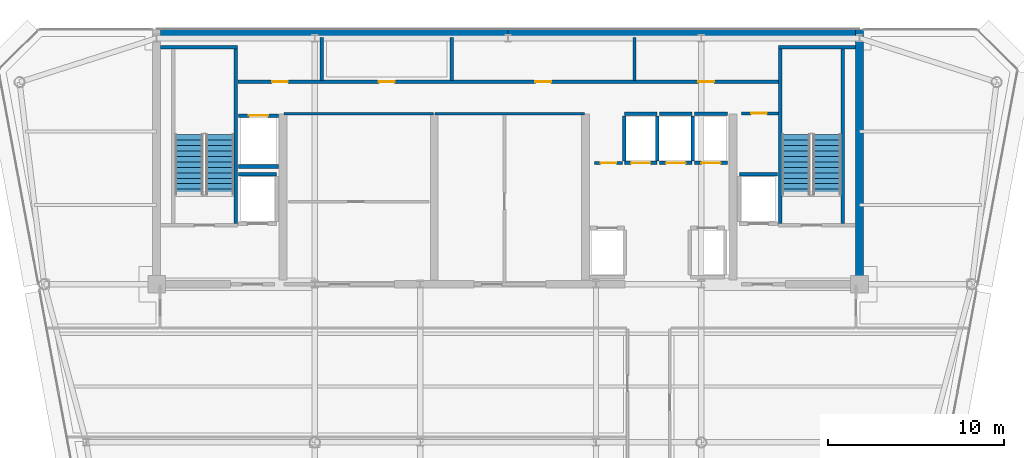
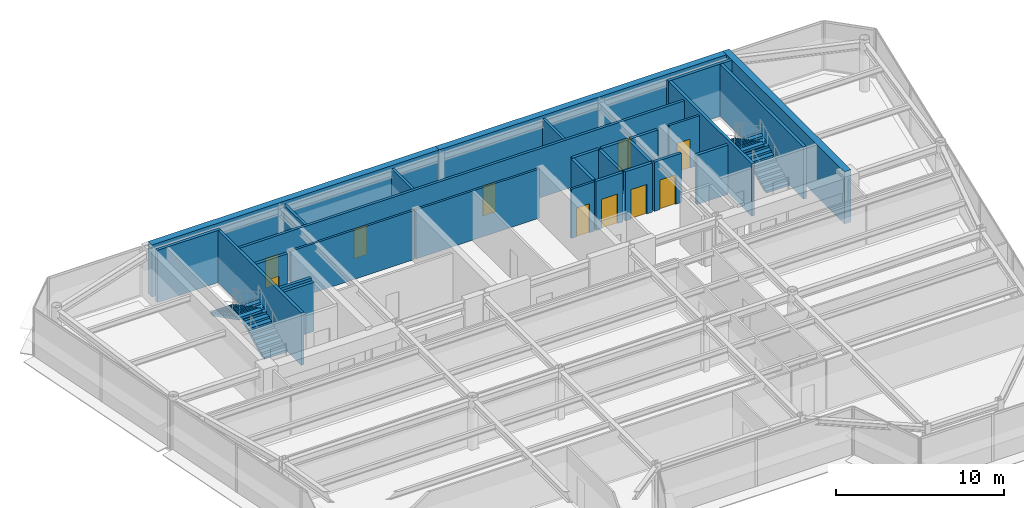
# One storey, part 11 of 18: 29 walls, 10 doors, 4 stair flights, 10 openings, 2 elements without a shape of their own.
"""IFC4 building model written with IfcOpenShell, lengths in metres."""

from ifc_helpers import new_model, si_unit, direction, frame, frame_2d, origin, place, context, subcontext, project, spatial, polyline, rectangle, outline, extrude, source, transform, mapped, material, layer, layer_set, type_object, element, fill, aggregate, save


model = new_model("IFC4")

# Units and contexts
model_context = context("Model", 3, precision=1e-05, world=origin(), true_north=direction((0.0, 1.0)))
body_context = subcontext(model_context, "Body", "Model", "MODEL_VIEW")
ifc_project = project(units=[si_unit("LENGTHUNIT", "METRE"), si_unit("AREAUNIT", "SQUARE_METRE"), si_unit("VOLUMEUNIT", "CUBIC_METRE"), si_unit("PLANEANGLEUNIT", "RADIAN"), si_unit("MASSUNIT", "GRAM", prefix="KILO")], contexts=[model_context])

# Site, building, storey
site_placement = place(None, origin())
site = spatial("IfcSite", under=ifc_project, at=site_placement, CompositionType="ELEMENT")
building_placement = place(site_placement, origin())
building = spatial("IfcBuilding", under=site, at=building_placement, Name="Vaeldorn Concourse Tower", CompositionType="ELEMENT")
storey_placement = place(building_placement, frame((0.0, 0.0, 253.60009765625)))
storey = spatial("IfcBuildingStorey", under=building, at=storey_placement, Name="L65", CompositionType="ELEMENT", Elevation=253.60009765625)

# Walls
ifc_material_1 = material(Name="Concrete C50/60", Category="concrete")
ifc_layer_1 = layer(ifc_material_1, 0.449951171875)
ifc_layer_set_1 = layer_set([ifc_layer_1], Name="Concrete C50/60")
wall_type_1 = type_object("IfcWallType", Name="WL-CORE-450", PredefinedType="SHEAR", material=ifc_layer_set_1)
for number, where, z_axis, x_axis, name in (
    (1, (14.22900390625, 50.77490234375, 0.0), (0.0, 0.0, 1.0), (1.0, 0.0, 0.0), "Rear Core Shear Wall L65 N1"),
    (2, (34.001953125, 50.77490234375, 0.0), (0.0, 0.0, 1.0), (1.0, 0.0, 0.0), "Rear Core Shear Wall L65 N2"),
):
    element("IfcWall", number, at=place(storey_placement, frame(where, z_axis=z_axis, x_axis=x_axis)), inside=storey, type_object=wall_type_1, Name=name, PredefinedType="SHEAR", context=body_context, shape_type="SweptSolid", body=[
        extrude(rectangle(XDim=19.76904296875, YDim=0.449951171875, at=frame_2d((9.884521484375, 0.0))), origin(), (0.0, 0.0, 1.0), 3.7998046875),
    ])
wall_1_placement = place(storey_placement, frame((54.0, 36.5, 0.0), z_axis=(0.0, 0.0, 1.0), x_axis=(0.0, 1.0, 0.0)))
element("IfcWall", 3, at=wall_1_placement, inside=storey, type_object=wall_type_1, Name="Rear Core Shear Wall L65 E1", PredefinedType="SHEAR", context=body_context, shape_type="SweptSolid", body=[
    extrude(rectangle(XDim=14.5, YDim=0.449951171875, at=frame_2d((7.25, 0.0))), origin(), (0.0, 0.0, 1.0), 3.7998046875),
])
ifc_material_2 = material(Name="Gypsum Board Partition", Category="gypsum")
ifc_layer_2 = layer(ifc_material_2, 0.14990234375)
ifc_layer_set_2 = layer_set([ifc_layer_2], Name="Gypsum Board Partition")
wall_type_2 = type_object("IfcWallType", Name="WL-PART-150", PredefinedType="PARTITIONING", material=ifc_layer_set_2)
for number, where, z_axis, x_axis, name in (
    (4, (21.25, 46.199951171875, 0.0), (0.0, 0.0, 1.0), (1.0, 0.0, 0.0), "Interior Wall CW-L65-R1N"),
    (5, (29.85009765625, 46.199951171875, 0.0), (0.0, 0.0, 1.0), (1.0, 0.0, 0.0), "Interior Wall CW-L65-R2N"),
):
    element("IfcWall", number, at=place(storey_placement, frame(where, z_axis=z_axis, x_axis=x_axis)), inside=storey, type_object=wall_type_2, Name=name, PredefinedType="PARTITIONING", context=body_context, shape_type="SweptSolid", body=[
        extrude(rectangle(XDim=8.5, YDim=0.14990234375, at=frame_2d((4.25, 0.0))), origin(), (0.0, 0.0, 1.0), 3.579833984375),
    ])

# Wall, opening, door
wall_2_placement = place(storey_placement, frame((47.280029296875, 46.219970703125, 0.0), z_axis=(0.0, 0.0, 1.0), x_axis=(1.0, 0.0, 0.0)))
wall_2 = element("IfcWall", 6, at=wall_2_placement, inside=storey, type_object=wall_type_2, Name="Interior Wall CW-L65-CRSE-N", PredefinedType="PARTITIONING", context=body_context, shape_type="SweptSolid", body=[
    extrude(rectangle(XDim=2.099853515625, YDim=0.14990234375, at=frame_2d((1.0498046875, 0.0))), origin(), (0.0, 0.0, 1.0), 3.579833984375),
])
opening_1_placement = place(wall_2_placement, frame((0.550048828125, 0.0, 0.0)))
opening_1 = element("IfcOpeningElement", 7, at=opening_1_placement, cuts=wall_2, Name="Opening D-02", PredefinedType="OPENING", context=body_context, shape_type="SweptSolid", body=[
    extrude(rectangle(XDim=0.89990234375, YDim=2.10009765625, at=frame_2d((0.449951171875, 1.050048828125))), frame((0.0, 0.0849609375, 0.0), z_axis=(0.0, -1.0, 0.0), x_axis=(1.0, 0.0, 0.0)), (0.0, 0.0, 1.0), 0.169921875),
])
ifc_material_3 = material(Name="Fire-Rated Timber Leaf", Category="wood")
door_type_1 = type_object("IfcDoorType", Name="DR-FD30-900", OperationType="NOTDEFINED", PredefinedType="DOOR", material=ifc_material_3)
shared_shape_1 = source(origin(), body_context, "Body", "SweptSolid", [
    extrude(rectangle(XDim=0.89990234375, YDim=2.10009765625, at=frame_2d((0.449951171875, 1.050048828125))), frame((0.0, 0.02490234375, 0.0), z_axis=(0.0, -1.0, 0.0), x_axis=(1.0, 0.0, 0.0)), (0.0, 0.0, 1.0), 0.050048828125),
])
door_1_placement = place(opening_1_placement, origin())
door_1 = element("IfcDoor", 8, at=door_1_placement, inside=storey, type_object=door_type_1, Name="Interior Door DR-L65-CRSE", OperationType="SINGLE_SWING_RIGHT", OverallHeight=2.10009765625, OverallWidth=0.89990234375, PredefinedType="DOOR", context=body_context, shape_type="MappedRepresentation", body=[
    mapped(shared_shape_1, transform((0.0, 0.0, 0.0), scale=1.0)),
])
fill(opening_1, door_1)

wall_3_placement = place(storey_placement, frame((38.919921875, 43.39990234375, 0.0), z_axis=(0.0, 0.0, 1.0), x_axis=(1.0, 0.0, 0.0)))
wall_3 = element("IfcWall", 9, at=wall_3_placement, inside=storey, type_object=wall_type_2, Name="Interior Wall CW-L65-CCLINK", PredefinedType="PARTITIONING", context=body_context, shape_type="SweptSolid", body=[
    extrude(rectangle(XDim=1.60009765625, YDim=0.14990234375, at=frame_2d((0.800048828125, 0.0))), origin(), (0.0, 0.0, 1.0), 3.579833984375),
])
opening_2_placement = place(wall_3_placement, frame((0.35009765625, 0.0, 0.0)))
opening_2 = element("IfcOpeningElement", 10, at=opening_2_placement, cuts=wall_3, Name="Opening D-02", PredefinedType="OPENING", context=body_context, shape_type="SweptSolid", body=[
    extrude(rectangle(XDim=0.89990234375, YDim=2.10009765625, at=frame_2d((0.449951171875, 1.050048828125))), frame((0.0, 0.0849609375, 0.0), z_axis=(0.0, -1.0, 0.0), x_axis=(1.0, 0.0, 0.0)), (0.0, 0.0, 1.0), 0.169921875),
])
door_2_placement = place(opening_2_placement, origin())
door_2 = element("IfcDoor", 11, at=door_2_placement, inside=storey, type_object=door_type_1, Name="Interior Door DR-L65-CCLINK", OperationType="SINGLE_SWING_LEFT", OverallHeight=2.10009765625, OverallWidth=0.89990234375, PredefinedType="DOOR", context=body_context, shape_type="MappedRepresentation", body=[
    mapped(shared_shape_1, transform((0.0, 0.0, 0.0), scale=1.0)),
])
fill(opening_2, door_2)

# Wall, openings, doors
ifc_layer_3 = layer(ifc_material_2, 0.179931640625)
ifc_layer_set_3 = layer_set([ifc_layer_3], Name="Gypsum Board Partition")
wall_type_3 = type_object("IfcWallType", Name="WL-PLUMB-180", PredefinedType="PLUMBINGWALL", material=ifc_layer_set_3)
wall_4_placement = place(storey_placement, frame((18.6201171875, 48.02001953125, 0.0), z_axis=(0.0, 0.0, 1.0), x_axis=(1.0, 0.0, 0.0)))
wall_4 = element("IfcWall", 12, at=wall_4_placement, inside=storey, type_object=wall_type_3, Name="Interior Wall CW-L65-NS0", PredefinedType="PLUMBINGWALL", context=body_context, shape_type="SweptSolid", body=[
    extrude(rectangle(XDim=30.759765625, YDim=0.179931640625, at=frame_2d((15.3798828125, 0.0))), origin(), (0.0, 0.0, 1.0), 3.579833984375),
])
opening_3_placement = place(wall_4_placement, frame((1.955078125, 0.0, 0.0)))
opening_3 = element("IfcOpeningElement", 13, at=opening_3_placement, cuts=wall_4, Name="Opening D-03", PredefinedType="OPENING", context=body_context, shape_type="SweptSolid", body=[
    extrude(rectangle(XDim=0.89990234375, YDim=2.14990234375, at=frame_2d((0.449951171875, 1.074951171875))), frame((0.0, 0.10009765625, 0.0), z_axis=(0.0, -1.0, 0.0), x_axis=(1.0, 0.0, 0.0)), (0.0, 0.0, 1.0), 0.199951171875),
])
opening_4_placement = place(wall_4_placement, frame((8.030029296875, 0.0, 0.0)))
opening_4 = element("IfcOpeningElement", 14, at=opening_4_placement, cuts=wall_4, Name="Opening D-03", PredefinedType="OPENING", context=body_context, shape_type="SweptSolid", body=[
    extrude(rectangle(XDim=0.89990234375, YDim=2.14990234375, at=frame_2d((0.449951171875, 1.074951171875))), frame((0.0, 0.10009765625, 0.0), z_axis=(0.0, -1.0, 0.0), x_axis=(1.0, 0.0, 0.0)), (0.0, 0.0, 1.0), 0.199951171875),
])
opening_5_placement = place(wall_4_placement, frame((16.929931640625, 0.0, 0.0)))
opening_5 = element("IfcOpeningElement", 15, at=opening_5_placement, cuts=wall_4, Name="Opening D-03", PredefinedType="OPENING", context=body_context, shape_type="SweptSolid", body=[
    extrude(rectangle(XDim=0.89990234375, YDim=2.14990234375, at=frame_2d((0.449951171875, 1.074951171875))), frame((0.0, 0.10009765625, 0.0), z_axis=(0.0, -1.0, 0.0), x_axis=(1.0, 0.0, 0.0)), (0.0, 0.0, 1.0), 0.199951171875),
])
opening_6_placement = place(wall_4_placement, frame((26.205078125, 0.0, 0.0)))
opening_6 = element("IfcOpeningElement", 16, at=opening_6_placement, cuts=wall_4, Name="Opening D-03", PredefinedType="OPENING", context=body_context, shape_type="SweptSolid", body=[
    extrude(rectangle(XDim=0.89990234375, YDim=2.14990234375, at=frame_2d((0.449951171875, 1.074951171875))), frame((0.0, 0.10009765625, 0.0), z_axis=(0.0, -1.0, 0.0), x_axis=(1.0, 0.0, 0.0)), (0.0, 0.0, 1.0), 0.199951171875),
])
ifc_material_4 = material(Name="Acoustic Bronze-Framed Glass Door", Category="glass")
door_type_2 = type_object("IfcDoorType", Name="DR-INT-900", OperationType="NOTDEFINED", PredefinedType="DOOR", material=ifc_material_4)
shared_shape_2 = source(origin(), body_context, "Body", "SweptSolid", [
    extrude(rectangle(XDim=0.89990234375, YDim=2.14990234375, at=frame_2d((0.449951171875, 1.074951171875))), frame((0.0, 0.02490234375, 0.0), z_axis=(0.0, -1.0, 0.0), x_axis=(1.0, 0.0, 0.0)), (0.0, 0.0, 1.0), 0.050048828125),
])
door_3_placement = place(opening_3_placement, origin())
door_3 = element("IfcDoor", 17, at=door_3_placement, inside=storey, type_object=door_type_2, Name="Interior Door DR-L65-CS1", OperationType="SINGLE_SWING_LEFT", OverallHeight=2.14990234375, OverallWidth=0.89990234375, PredefinedType="DOOR", context=body_context, shape_type="MappedRepresentation", body=[
    mapped(shared_shape_2, transform((0.0, 0.0, 0.0), scale=1.0)),
])
fill(opening_3, door_3)
door_4_placement = place(opening_4_placement, origin())
door_4 = element("IfcDoor", 18, at=door_4_placement, inside=storey, type_object=door_type_2, Name="Interior Door DR-L65-CS2", OperationType="SINGLE_SWING_RIGHT", OverallHeight=2.14990234375, OverallWidth=0.89990234375, PredefinedType="DOOR", context=body_context, shape_type="MappedRepresentation", body=[
    mapped(shared_shape_2, transform((0.0, 0.0, 0.0), scale=1.0)),
])
fill(opening_4, door_4)
door_5_placement = place(opening_5_placement, origin())
door_5 = element("IfcDoor", 19, at=door_5_placement, inside=storey, type_object=door_type_2, Name="Interior Door DR-L65-CS3", OperationType="SINGLE_SWING_LEFT", OverallHeight=2.14990234375, OverallWidth=0.89990234375, PredefinedType="DOOR", context=body_context, shape_type="MappedRepresentation", body=[
    mapped(shared_shape_2, transform((0.0, 0.0, 0.0), scale=1.0)),
])
fill(opening_5, door_5)
door_6_placement = place(opening_6_placement, origin())
door_6 = element("IfcDoor", 20, at=door_6_placement, inside=storey, type_object=door_type_2, Name="Interior Door DR-L65-CS4", OperationType="SINGLE_SWING_RIGHT", OverallHeight=2.14990234375, OverallWidth=0.89990234375, PredefinedType="DOOR", context=body_context, shape_type="MappedRepresentation", body=[
    mapped(shared_shape_2, transform((0.0, 0.0, 0.0), scale=1.0)),
])
fill(opening_6, door_6)

# Walls
for number, where, z_axis, x_axis, name in (
    (21, (23.39990234375, 48.10009765625, 0.0), (0.0, 0.0, 1.0), (0.0, 1.0, 0.0), "Interior Wall CW-L65-NDIV1"),
    (22, (30.800048828125, 48.10009765625, 0.0), (0.0, 0.0, 1.0), (0.0, 1.0, 0.0), "Interior Wall CW-L65-NDIV2"),
    (23, (41.199951171875, 48.10009765625, 0.0), (0.0, 0.0, 1.0), (0.0, 1.0, 0.0), "Interior Wall CW-L65-NDIV3"),
):
    element("IfcWall", number, at=place(storey_placement, frame(where, z_axis=z_axis, x_axis=x_axis)), inside=storey, type_object=wall_type_3, Name=name, PredefinedType="PLUMBINGWALL", context=body_context, shape_type="SweptSolid", body=[
        extrude(rectangle(XDim=2.429931640625, YDim=0.179931640625, at=frame_2d((1.21484375, 0.0))), origin(), (0.0, 0.0, 1.0), 3.579833984375),
    ])
ifc_layer_4 = layer(ifc_material_1, 0.199951171875)
ifc_layer_set_4 = layer_set([ifc_layer_4], Name="Concrete C50/60")
wall_type_4 = type_object("IfcWallType", Name="WL-SHAFT-200", PredefinedType="SOLIDWALL", material=ifc_layer_set_4)
wall_5_placement = place(storey_placement, frame((14.22509765625, 50.0, 0.0), z_axis=(0.0, 0.0, 1.0), x_axis=(1.0, 0.0, 0.0)))
element("IfcWall", 24, at=wall_5_placement, inside=storey, type_object=wall_type_4, Name="Stair Shaft Wall CW-L65-ST-1-N", PredefinedType="SOLIDWALL", context=body_context, shape_type="SweptSolid", body=[
    extrude(rectangle(XDim=4.375, YDim=0.199951171875, at=frame_2d((2.1875, 0.0))), origin(), (0.0, 0.0, 1.0), 3.7998046875),
])
wall_6_placement = place(storey_placement, frame((18.5, 39.9599609375, 0.0), z_axis=(0.0, 0.0, 1.0), x_axis=(0.0, 1.0, 0.0)))
element("IfcWall", 25, at=wall_6_placement, inside=storey, type_object=wall_type_4, Name="Stair Shaft Wall CW-L65-ST-1-E", PredefinedType="SOLIDWALL", context=body_context, shape_type="SweptSolid", body=[
    extrude(rectangle(XDim=9.929931640625, YDim=0.199951171875, at=frame_2d((4.96484375, 0.0))), origin(), (0.0, 0.0, 1.0), 3.7998046875),
])
wall_7_placement = place(storey_placement, frame((49.39990234375, 50.0, 0.0), z_axis=(0.0, 0.0, 1.0), x_axis=(1.0, 0.0, 0.0)))
element("IfcWall", 26, at=wall_7_placement, inside=storey, type_object=wall_type_4, Name="Stair Shaft Wall CW-L65-ST-2-N", PredefinedType="SOLIDWALL", context=body_context, shape_type="SweptSolid", body=[
    extrude(rectangle(XDim=4.375, YDim=0.199951171875, at=frame_2d((2.1875, 0.0))), origin(), (0.0, 0.0, 1.0), 3.7998046875),
])
for number, where, z_axis, x_axis, name in (
    (27, (49.5, 39.9599609375, 0.0), (0.0, 0.0, 1.0), (0.0, 1.0, 0.0), "Stair Shaft Wall CW-L65-ST-2-W"),
    (28, (53.050048828125, 39.9599609375, 0.0), (0.0, 0.0, 1.0), (0.0, 1.0, 0.0), "Stair Shaft Wall CW-L65-ST-2-E"),
):
    element("IfcWall", number, at=place(storey_placement, frame(where, z_axis=z_axis, x_axis=x_axis)), inside=storey, type_object=wall_type_4, Name=name, PredefinedType="SOLIDWALL", context=body_context, shape_type="SweptSolid", body=[
        extrude(rectangle(XDim=9.929931640625, YDim=0.199951171875, at=frame_2d((4.96484375, 0.0))), origin(), (0.0, 0.0, 1.0), 3.7998046875),
    ])

# Wall, opening, door
wall_8_placement = place(storey_placement, frame((40.6201171875, 43.39990234375, 0.0), z_axis=(0.0, 0.0, 1.0), x_axis=(1.0, 0.0, 0.0)))
wall_8 = element("IfcWall", 29, at=wall_8_placement, inside=storey, type_object=wall_type_4, Name="Interior Wall CW-L65-LF-LF-15", PredefinedType="SOLIDWALL", context=body_context, shape_type="SweptSolid", body=[
    extrude(rectangle(XDim=1.85986328125, YDim=0.199951171875, at=frame_2d((0.929931640625, 0.0))), origin(), (0.0, 0.0, 1.0), 3.579833984375),
])
opening_7_placement = place(wall_8_placement, frame((0.3798828125, 0.0, 0.0)))
opening_7 = element("IfcOpeningElement", 30, at=opening_7_placement, cuts=wall_8, Name="Opening LD-1", PredefinedType="OPENING", context=body_context, shape_type="SweptSolid", body=[
    extrude(rectangle(XDim=1.10009765625, YDim=2.14990234375, at=frame_2d((0.550048828125, 1.074951171875))), frame((0.0, 0.10986328125, 0.0), z_axis=(0.0, -1.0, 0.0), x_axis=(1.0, 0.0, 0.0)), (0.0, 0.0, 1.0), 0.219970703125),
])
ifc_material_5 = material(Name="Anodised Bronze Aluminium", Category="aluminium")
door_type_3 = type_object("IfcDoorType", Name="DR-LIFT-SLIDE-1100", OperationType="DOUBLE_DOOR_SLIDING", PredefinedType="DOOR", material=ifc_material_5)
shared_shape_3 = source(origin(), body_context, "Body", "SweptSolid", [
    extrude(rectangle(XDim=1.10009765625, YDim=2.14990234375, at=frame_2d((0.550048828125, 1.074951171875))), frame((0.0, 0.02490234375, 0.0), z_axis=(0.0, -1.0, 0.0), x_axis=(1.0, 0.0, 0.0)), (0.0, 0.0, 1.0), 0.050048828125),
])
door_7_placement = place(opening_7_placement, origin())
door_7 = element("IfcDoor", 31, at=door_7_placement, inside=storey, type_object=door_type_3, Name="Lift Landing Door LD-L65-LF-15", OperationType="DOUBLE_DOOR_SLIDING", OverallHeight=2.14990234375, OverallWidth=1.10009765625, PredefinedType="DOOR", context=body_context, shape_type="MappedRepresentation", body=[
    mapped(shared_shape_3, transform((0.0, 0.0, 0.0), scale=1.0)),
])
fill(opening_7, door_7)

# Walls
wall_9_placement = place(storey_placement, frame((40.6201171875, 46.199951171875, 0.0), z_axis=(0.0, 0.0, 1.0), x_axis=(1.0, 0.0, 0.0)))
element("IfcWall", 32, at=wall_9_placement, inside=storey, type_object=wall_type_4, Name="Interior Wall CW-L65-LFB-LF-15", PredefinedType="SOLIDWALL", context=body_context, shape_type="SweptSolid", body=[
    extrude(rectangle(XDim=1.85986328125, YDim=0.199951171875, at=frame_2d((0.929931640625, 0.0))), origin(), (0.0, 0.0, 1.0), 3.579833984375),
])
for number, where, z_axis, x_axis, name in (
    (33, (40.60009765625, 43.52001953125, 0.0), (0.0, 0.0, 1.0), (0.0, 1.0, 0.0), "Interior Wall CW-L65-LFW-LF-15"),
    (34, (42.5, 43.52001953125, 0.0), (0.0, 0.0, 1.0), (0.0, 1.0, 0.0), "Interior Wall CW-L65-LFE-LF-15"),
):
    element("IfcWall", number, at=place(storey_placement, frame(where, z_axis=z_axis, x_axis=x_axis)), inside=storey, type_object=wall_type_4, Name=name, PredefinedType="SOLIDWALL", context=body_context, shape_type="SweptSolid", body=[
        extrude(rectangle(XDim=2.56005859375, YDim=0.199951171875, at=frame_2d((1.280029296875, 0.0))), origin(), (0.0, 0.0, 1.0), 3.579833984375),
    ])

# Wall, opening, door
wall_10_placement = place(storey_placement, frame((42.6201171875, 43.39990234375, 0.0), z_axis=(0.0, 0.0, 1.0), x_axis=(1.0, 0.0, 0.0)))
wall_10 = element("IfcWall", 35, at=wall_10_placement, inside=storey, type_object=wall_type_4, Name="Interior Wall CW-L65-LF-LF-16", PredefinedType="SOLIDWALL", context=body_context, shape_type="SweptSolid", body=[
    extrude(rectangle(XDim=1.85986328125, YDim=0.199951171875, at=frame_2d((0.929931640625, 0.0))), origin(), (0.0, 0.0, 1.0), 3.579833984375),
])
opening_8_placement = place(wall_10_placement, frame((0.3798828125, 0.0, 0.0)))
opening_8 = element("IfcOpeningElement", 36, at=opening_8_placement, cuts=wall_10, Name="Opening LD-1", PredefinedType="OPENING", context=body_context, shape_type="SweptSolid", body=[
    extrude(rectangle(XDim=1.10009765625, YDim=2.14990234375, at=frame_2d((0.550048828125, 1.074951171875))), frame((0.0, 0.10986328125, 0.0), z_axis=(0.0, -1.0, 0.0), x_axis=(1.0, 0.0, 0.0)), (0.0, 0.0, 1.0), 0.219970703125),
])
door_8_placement = place(opening_8_placement, origin())
door_8 = element("IfcDoor", 37, at=door_8_placement, inside=storey, type_object=door_type_3, Name="Lift Landing Door LD-L65-LF-16", OperationType="DOUBLE_DOOR_SLIDING", OverallHeight=2.14990234375, OverallWidth=1.10009765625, PredefinedType="DOOR", context=body_context, shape_type="MappedRepresentation", body=[
    mapped(shared_shape_3, transform((0.0, 0.0, 0.0), scale=1.0)),
])
fill(opening_8, door_8)

# Walls
wall_11_placement = place(storey_placement, frame((42.6201171875, 46.199951171875, 0.0), z_axis=(0.0, 0.0, 1.0), x_axis=(1.0, 0.0, 0.0)))
element("IfcWall", 38, at=wall_11_placement, inside=storey, type_object=wall_type_4, Name="Interior Wall CW-L65-LFB-LF-16", PredefinedType="SOLIDWALL", context=body_context, shape_type="SweptSolid", body=[
    extrude(rectangle(XDim=1.85986328125, YDim=0.199951171875, at=frame_2d((0.929931640625, 0.0))), origin(), (0.0, 0.0, 1.0), 3.579833984375),
])
wall_12_placement = place(storey_placement, frame((44.5, 43.52001953125, 0.0), z_axis=(0.0, 0.0, 1.0), x_axis=(0.0, 1.0, 0.0)))
element("IfcWall", 39, at=wall_12_placement, inside=storey, type_object=wall_type_4, Name="Interior Wall CW-L65-LFE-LF-16", PredefinedType="SOLIDWALL", context=body_context, shape_type="SweptSolid", body=[
    extrude(rectangle(XDim=2.56005859375, YDim=0.199951171875, at=frame_2d((1.280029296875, 0.0))), origin(), (0.0, 0.0, 1.0), 3.579833984375),
])

# Wall, opening, door
wall_13_placement = place(storey_placement, frame((44.6201171875, 43.39990234375, 0.0), z_axis=(0.0, 0.0, 1.0), x_axis=(1.0, 0.0, 0.0)))
wall_13 = element("IfcWall", 40, at=wall_13_placement, inside=storey, type_object=wall_type_4, Name="Interior Wall CW-L65-LF-LF-17", PredefinedType="SOLIDWALL", context=body_context, shape_type="SweptSolid", body=[
    extrude(rectangle(XDim=1.85986328125, YDim=0.199951171875, at=frame_2d((0.929931640625, 0.0))), origin(), (0.0, 0.0, 1.0), 3.579833984375),
])
opening_9_placement = place(wall_13_placement, frame((0.3798828125, 0.0, 0.0)))
opening_9 = element("IfcOpeningElement", 41, at=opening_9_placement, cuts=wall_13, Name="Opening LD-1", PredefinedType="OPENING", context=body_context, shape_type="SweptSolid", body=[
    extrude(rectangle(XDim=1.10009765625, YDim=2.14990234375, at=frame_2d((0.550048828125, 1.074951171875))), frame((0.0, 0.10986328125, 0.0), z_axis=(0.0, -1.0, 0.0), x_axis=(1.0, 0.0, 0.0)), (0.0, 0.0, 1.0), 0.219970703125),
])
door_9_placement = place(opening_9_placement, origin())
door_9 = element("IfcDoor", 42, at=door_9_placement, inside=storey, type_object=door_type_3, Name="Lift Landing Door LD-L65-LF-17", OperationType="DOUBLE_DOOR_SLIDING", OverallHeight=2.14990234375, OverallWidth=1.10009765625, PredefinedType="DOOR", context=body_context, shape_type="MappedRepresentation", body=[
    mapped(shared_shape_3, transform((0.0, 0.0, 0.0), scale=1.0)),
])
fill(opening_9, door_9)

# Wall
wall_14_placement = place(storey_placement, frame((44.6201171875, 46.199951171875, 0.0), z_axis=(0.0, 0.0, 1.0), x_axis=(1.0, 0.0, 0.0)))
element("IfcWall", 43, at=wall_14_placement, inside=storey, type_object=wall_type_4, Name="Interior Wall CW-L65-LFB-LF-17", PredefinedType="SOLIDWALL", context=body_context, shape_type="SweptSolid", body=[
    extrude(rectangle(XDim=1.85986328125, YDim=0.199951171875, at=frame_2d((0.929931640625, 0.0))), origin(), (0.0, 0.0, 1.0), 3.579833984375),
])

# Wall, opening, door
wall_15_placement = place(storey_placement, frame((18.669921875, 46.10009765625, 0.0), z_axis=(0.0, 0.0, 1.0), x_axis=(1.0, 0.0, 0.0)))
wall_15 = element("IfcWall", 44, at=wall_15_placement, inside=storey, type_object=wall_type_4, Name="Interior Wall CW-L65-LF-LF-SV1", PredefinedType="SOLIDWALL", context=body_context, shape_type="SweptSolid", body=[
    extrude(rectangle(XDim=2.260009765625, YDim=0.199951171875, at=frame_2d((1.1298828125, 0.0))), origin(), (0.0, 0.0, 1.0), 3.579833984375),
])
opening_10_placement = place(wall_15_placement, frame((0.580078125, 0.0, 0.0)))
opening_10 = element("IfcOpeningElement", 45, at=opening_10_placement, cuts=wall_15, Name="Opening LD-1", PredefinedType="OPENING", context=body_context, shape_type="SweptSolid", body=[
    extrude(rectangle(XDim=1.10009765625, YDim=2.14990234375, at=frame_2d((0.550048828125, 1.074951171875))), frame((0.0, 0.10986328125, 0.0), z_axis=(0.0, -1.0, 0.0), x_axis=(1.0, 0.0, 0.0)), (0.0, 0.0, 1.0), 0.219970703125),
])
door_10_placement = place(opening_10_placement, origin())
door_10 = element("IfcDoor", 46, at=door_10_placement, inside=storey, type_object=door_type_3, Name="Lift Landing Door LD-L65-LF-SV1", OperationType="DOUBLE_DOOR_SLIDING", OverallHeight=2.14990234375, OverallWidth=1.10009765625, PredefinedType="DOOR", context=body_context, shape_type="MappedRepresentation", body=[
    mapped(shared_shape_3, transform((0.0, 0.0, 0.0), scale=1.0)),
])
fill(opening_10, door_10)

# Walls
wall_16_placement = place(storey_placement, frame((18.669921875, 43.199951171875, 0.0), z_axis=(0.0, 0.0, 1.0), x_axis=(1.0, 0.0, 0.0)))
element("IfcWall", 47, at=wall_16_placement, inside=storey, type_object=wall_type_4, Name="Interior Wall CW-L65-LFB-LF-SV1", PredefinedType="SOLIDWALL", context=body_context, shape_type="SweptSolid", body=[
    extrude(rectangle(XDim=2.260009765625, YDim=0.199951171875, at=frame_2d((1.1298828125, 0.0))), origin(), (0.0, 0.0, 1.0), 3.579833984375),
])
for number, where, z_axis, x_axis, name in (
    (48, (18.669921875, 42.75, 0.0), (0.0, 0.0, 1.0), (1.0, 0.0, 0.0), "Interior Wall CW-L65-LFB-LF-FF1"),
    (49, (47.169921875, 42.75, 0.0), (0.0, 0.0, 1.0), (1.0, 0.0, 0.0), "Interior Wall CW-L65-LFB-LF-FF2"),
):
    element("IfcWall", number, at=place(storey_placement, frame(where, z_axis=z_axis, x_axis=x_axis)), inside=storey, type_object=wall_type_4, Name=name, PredefinedType="SOLIDWALL", context=body_context, shape_type="SweptSolid", body=[
        extrude(rectangle(XDim=2.16015625, YDim=0.199951171875, at=frame_2d((1.080078125, 0.0))), origin(), (0.0, 0.0, 1.0), 3.579833984375),
    ])

# Stair, stair flights
ifc_material_6 = material(Name="Precast concrete C40/50", Category="concrete")
stair_type = type_object("IfcStairType", Name="STR-DOG-24x158", PredefinedType="HALF_TURN_STAIR", material=ifc_material_6)
stair_1_placement = place(storey_placement, origin())
stair_1 = element("IfcStair", 50, at=stair_1_placement, inside=storey, type_object=stair_type, Name="L65 West Core Exit Stair ST-1", PredefinedType="HALF_TURN_STAIR")
stair_flight_type = type_object("IfcStairFlightType", Name="STF-STR-12x158", PredefinedType="STRAIGHT", material=ifc_material_6)
stair_flight_1_placement = place(storey_placement, frame((17.60009765625, 41.60009765625, 0.0), z_axis=(0.0, 0.0, 1.0), x_axis=(0.0, 1.0, 0.0)))
stair_flight_1 = element("IfcStairFlight", 51, at=stair_flight_1_placement, type_object=stair_flight_type, Name="ST-1 flight 1", NumberOfRisers=12, NumberOfTreads=11, PredefinedType="STRAIGHT", RiserHeight=0.158333333, TreadLength=0.31, context=body_context, shape_type="SweptSolid", body=[
    extrude(outline(polyline([(0.0, 0.0), (0.0, 0.158447265625), (0.31005859375, 0.158447265625), (0.31005859375, 0.316650390625), (0.6201171875, 0.316650390625), (0.6201171875, 0.47509765625), (0.929931640625, 0.47509765625), (0.929931640625, 0.63330078125), (1.239990234375, 0.63330078125), (1.239990234375, 0.791748046875), (1.550048828125, 0.791748046875), (1.550048828125, 0.949951171875), (1.860107421875, 0.949951171875), (1.860107421875, 1.1083984375), (2.169921875, 1.1083984375), (2.169921875, 1.2666015625), (2.47998046875, 1.2666015625), (2.47998046875, 1.425048828125), (2.7900390625, 1.425048828125), (2.7900390625, 1.583251953125), (3.10009765625, 1.583251953125), (3.10009765625, 1.74169921875), (3.409912109375, 1.74169921875), (3.409912109375, 1.89990234375), (3.409912109375, 1.5732421875), (0.32958984375, 0.0), (0.0, 0.0)])), frame((0.0, 0.800048828125, 0.0), z_axis=(0.0, -1.0, 0.0), x_axis=(1.0, 0.0, 0.0)), (0.0, 0.0, 1.0), 1.60009765625),
])
stair_flight_2_placement = place(storey_placement, frame((15.85009765625, 45.010009765625, 1.89990234375), z_axis=(0.0, 0.0, 1.0), x_axis=(0.0, -1.0, 0.0)))
stair_flight_2 = element("IfcStairFlight", 52, at=stair_flight_2_placement, type_object=stair_flight_type, Name="ST-1 flight 2", NumberOfRisers=12, NumberOfTreads=11, PredefinedType="STRAIGHT", RiserHeight=0.158333333, TreadLength=0.31, context=body_context, shape_type="SweptSolid", body=[
    extrude(outline(polyline([(0.0, 0.0), (0.0, 0.158447265625), (0.31005859375, 0.158447265625), (0.31005859375, 0.316650390625), (0.6201171875, 0.316650390625), (0.6201171875, 0.47509765625), (0.929931640625, 0.47509765625), (0.929931640625, 0.63330078125), (1.239990234375, 0.63330078125), (1.239990234375, 0.791748046875), (1.550048828125, 0.791748046875), (1.550048828125, 0.949951171875), (1.860107421875, 0.949951171875), (1.860107421875, 1.1083984375), (2.169921875, 1.1083984375), (2.169921875, 1.2666015625), (2.47998046875, 1.2666015625), (2.47998046875, 1.425048828125), (2.7900390625, 1.425048828125), (2.7900390625, 1.583251953125), (3.10009765625, 1.583251953125), (3.10009765625, 1.74169921875), (3.409912109375, 1.74169921875), (3.409912109375, 1.89990234375), (3.409912109375, 1.5732421875), (0.32958984375, 0.0), (0.0, 0.0)])), frame((0.0, 0.800048828125, 0.0), z_axis=(0.0, -1.0, 0.0), x_axis=(1.0, 0.0, 0.0)), (0.0, 0.0, 1.0), 1.60009765625),
])
aggregate(stair_1, [stair_flight_1, stair_flight_2])

stair_2_placement = place(storey_placement, origin())
stair_2 = element("IfcStair", 53, at=stair_2_placement, inside=storey, type_object=stair_type, Name="L65 East Core Exit Stair ST-2", PredefinedType="HALF_TURN_STAIR")
stair_flight_3_placement = place(storey_placement, frame((52.14990234375, 41.60009765625, 0.0), z_axis=(0.0, 0.0, 1.0), x_axis=(0.0, 1.0, 0.0)))
stair_flight_3 = element("IfcStairFlight", 54, at=stair_flight_3_placement, type_object=stair_flight_type, Name="ST-2 flight 1", NumberOfRisers=12, NumberOfTreads=11, PredefinedType="STRAIGHT", RiserHeight=0.158333333, TreadLength=0.31, context=body_context, shape_type="SweptSolid", body=[
    extrude(outline(polyline([(0.0, 0.0), (0.0, 0.158447265625), (0.31005859375, 0.158447265625), (0.31005859375, 0.316650390625), (0.6201171875, 0.316650390625), (0.6201171875, 0.47509765625), (0.929931640625, 0.47509765625), (0.929931640625, 0.63330078125), (1.239990234375, 0.63330078125), (1.239990234375, 0.791748046875), (1.550048828125, 0.791748046875), (1.550048828125, 0.949951171875), (1.860107421875, 0.949951171875), (1.860107421875, 1.1083984375), (2.169921875, 1.1083984375), (2.169921875, 1.2666015625), (2.47998046875, 1.2666015625), (2.47998046875, 1.425048828125), (2.7900390625, 1.425048828125), (2.7900390625, 1.583251953125), (3.10009765625, 1.583251953125), (3.10009765625, 1.74169921875), (3.409912109375, 1.74169921875), (3.409912109375, 1.89990234375), (3.409912109375, 1.5732421875), (0.32958984375, 0.0), (0.0, 0.0)])), frame((0.0, 0.800048828125, 0.0), z_axis=(0.0, -1.0, 0.0), x_axis=(1.0, 0.0, 0.0)), (0.0, 0.0, 1.0), 1.60009765625),
])
stair_flight_4_placement = place(storey_placement, frame((50.39990234375, 45.010009765625, 1.89990234375), z_axis=(0.0, 0.0, 1.0), x_axis=(0.0, -1.0, 0.0)))
stair_flight_4 = element("IfcStairFlight", 55, at=stair_flight_4_placement, type_object=stair_flight_type, Name="ST-2 flight 2", NumberOfRisers=12, NumberOfTreads=11, PredefinedType="STRAIGHT", RiserHeight=0.158333333, TreadLength=0.31, context=body_context, shape_type="SweptSolid", body=[
    extrude(outline(polyline([(0.0, 0.0), (0.0, 0.158447265625), (0.31005859375, 0.158447265625), (0.31005859375, 0.316650390625), (0.6201171875, 0.316650390625), (0.6201171875, 0.47509765625), (0.929931640625, 0.47509765625), (0.929931640625, 0.63330078125), (1.239990234375, 0.63330078125), (1.239990234375, 0.791748046875), (1.550048828125, 0.791748046875), (1.550048828125, 0.949951171875), (1.860107421875, 0.949951171875), (1.860107421875, 1.1083984375), (2.169921875, 1.1083984375), (2.169921875, 1.2666015625), (2.47998046875, 1.2666015625), (2.47998046875, 1.425048828125), (2.7900390625, 1.425048828125), (2.7900390625, 1.583251953125), (3.10009765625, 1.583251953125), (3.10009765625, 1.74169921875), (3.409912109375, 1.74169921875), (3.409912109375, 1.89990234375), (3.409912109375, 1.5732421875), (0.32958984375, 0.0), (0.0, 0.0)])), frame((0.0, 0.800048828125, 0.0), z_axis=(0.0, -1.0, 0.0), x_axis=(1.0, 0.0, 0.0)), (0.0, 0.0, 1.0), 1.60009765625),
])
aggregate(stair_2, [stair_flight_3, stair_flight_4])

save(model, "model.ifc")
